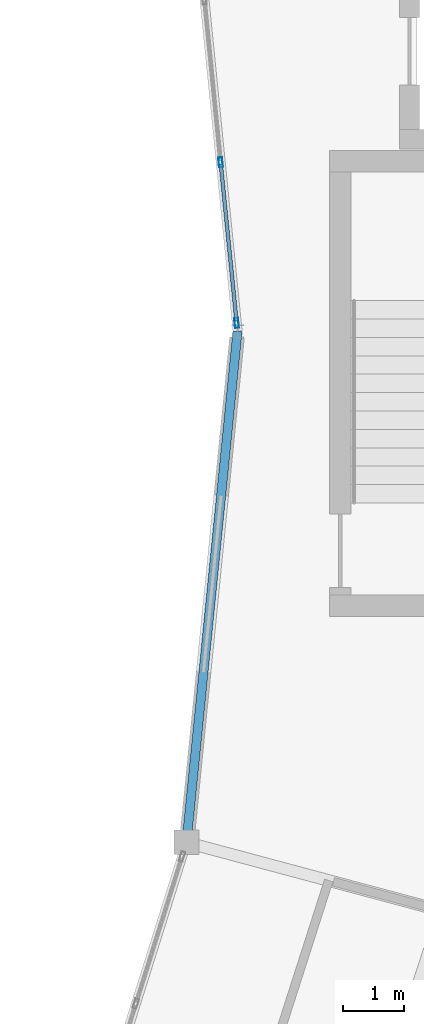
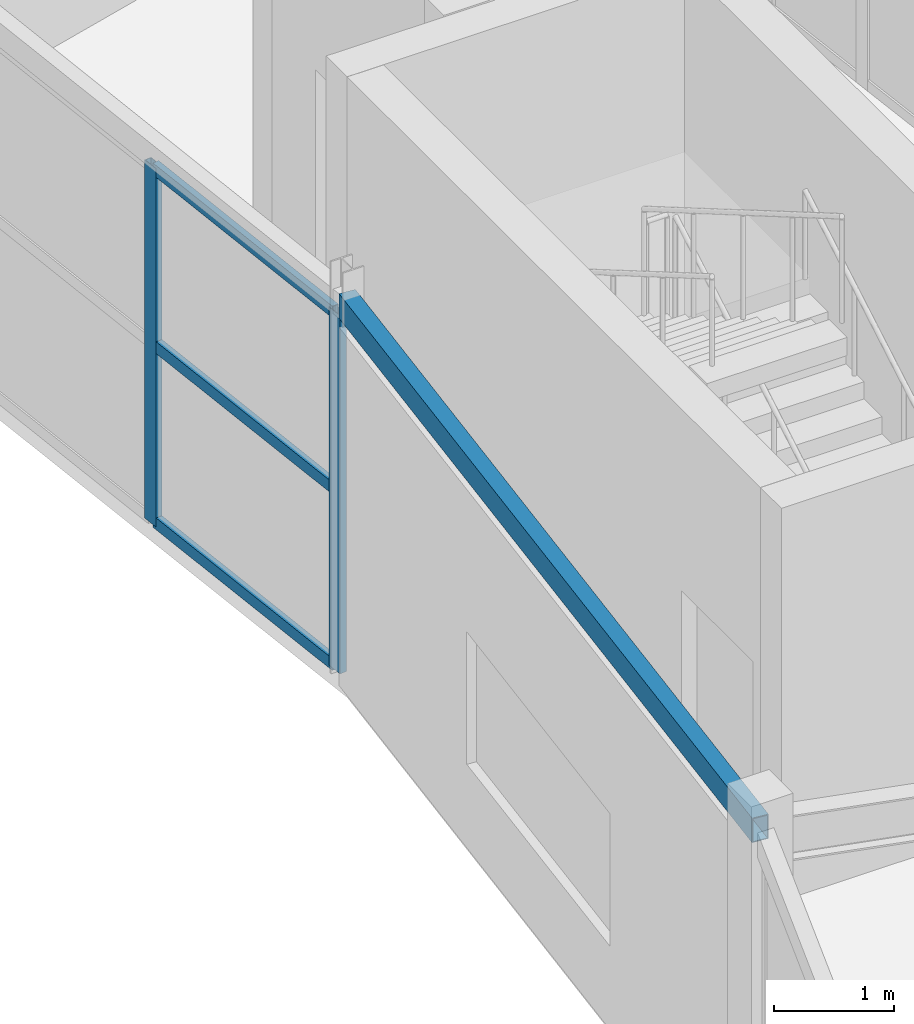
# One storey, part 57 of 130: 5 members, 1 beam, 1 element without a shape of its own.
"""IFC4 building model written with IfcOpenShell, lengths in metres."""

from ifc_helpers import new_model, si_unit, direction, frame, origin, origin_2d, place, context, subcontext, project, spatial, hollow_rectangle, extrude, material, material_profile, profile_set, type_object, element, aggregate, save


model = new_model("IFC4")

# Units and contexts
model_context = context("Model", 3, precision=1e-05, world=origin(), true_north=direction((0.0, 1.0)))
body_context = subcontext(model_context, "Body", "Model", "MODEL_VIEW")
ifc_project = project(units=[si_unit("LENGTHUNIT", "METRE"), si_unit("AREAUNIT", "SQUARE_METRE"), si_unit("VOLUMEUNIT", "CUBIC_METRE"), si_unit("PLANEANGLEUNIT", "RADIAN"), si_unit("MASSUNIT", "GRAM", prefix="KILO")], contexts=[model_context])

# Site, building, storey
site_placement = place(None, origin())
site = spatial("IfcSite", under=ifc_project, at=site_placement, CompositionType="ELEMENT")
building_placement = place(site_placement, origin())
building = spatial("IfcBuilding", under=site, at=building_placement, Name="Karori Crest Natural Sciences Institute", CompositionType="ELEMENT")
storey_placement = place(building_placement, frame((0.0, 0.0, 17.5)))
storey = spatial("IfcBuildingStorey", under=building, at=storey_placement, Name="L04", CompositionType="ELEMENT", Elevation=17.5)

# Beam
ifc_material_1 = material(Name="Hollow structural steel AS/NZS 1163 Grade C350", Category="steel")
ifc_material_profile_1 = material_profile(ifc_material_1, hollow_rectangle(XDim=0.14990234375, YDim=0.25, WallThickness=0.009033203125, at=origin_2d()), Name="RHS250x150x9")
ifc_profile_set_1 = profile_set([ifc_material_profile_1], Name="Hollow structural steel AS/NZS 1163 Grade C350")
beam_type = type_object("IfcBeamType", Name="BT-16", PredefinedType="SPANDREL", material=ifc_profile_set_1)
beam_placement = place(storey_placement, frame((89.968505859375, 41.56591796875, 3.7900390625), z_axis=(0.099284371237, 0.99505910057, 0.0), x_axis=(-0.99505910057, 0.099284371237, 0.0)))
element("IfcBeam", 1, at=beam_placement, inside=storey, type_object=beam_type, Name="Beam B-0539", PredefinedType="SPANDREL", context=body_context, shape_type="SweptSolid", body=[
    extrude(hollow_rectangle(XDim=0.14990234375, YDim=0.25, WallThickness=0.009033203125, at=origin_2d()), origin(), (0.0, 0.0, 1.0), 8.37548828125),
])

# Curtain wall, members
ifc_material_2 = material(Name="Anodised architectural aluminium 6063-T6", Category="aluminium")
curtain_wall_type = type_object("IfcCurtainWallType", Name="CWT-11", PredefinedType="NOTDEFINED", material=ifc_material_2)
curtain_wall_placement = place(storey_placement, origin())
curtain_wall = element("IfcCurtainWall", 2, at=curtain_wall_placement, inside=storey, type_object=curtain_wall_type, Name="Curtain wall CW-0137", PredefinedType="NOTDEFINED")
ifc_material_profile_2 = material_profile(ifc_material_2, hollow_rectangle(XDim=0.06494140625, YDim=0.159912109375, WallThickness=0.00390625, at=origin_2d()), Name="CWM160x65x4")
ifc_profile_set_2 = profile_set([ifc_material_profile_2], Name="Anodised architectural aluminium 6063-T6")
member_type_1 = type_object("IfcMemberType", Name="CWM-01", PredefinedType="MULLION", material=ifc_profile_set_2)
member_1_placement = place(storey_placement, frame((90.786376953125, 50.035400390625, 0.0), z_axis=(0.0, 0.0, 1.0), x_axis=(-0.995060684604, -0.099268494275, 0.0)))
member_1 = element("IfcMember", 3, at=member_1_placement, type_object=member_type_1, Name="CW-0137 mullion 1", PredefinedType="MULLION", context=body_context, shape_type="SweptSolid", body=[
    extrude(hollow_rectangle(XDim=0.06494140625, YDim=0.159912109375, WallThickness=0.00390625, at=origin_2d()), origin(), (0.0, 0.0, 1.0), 3.64990234375),
])
member_2_placement = place(storey_placement, frame((90.525146484375, 52.65576171875, 0.0), z_axis=(0.0, 0.0, 1.0), x_axis=(-0.995060684604, -0.099268494275, 0.0)))
member_2 = element("IfcMember", 4, at=member_2_placement, type_object=member_type_1, Name="CW-0137 mullion 2", PredefinedType="MULLION", context=body_context, shape_type="SweptSolid", body=[
    extrude(hollow_rectangle(XDim=0.06494140625, YDim=0.159912109375, WallThickness=0.00390625, at=origin_2d()), origin(), (0.0, 0.0, 1.0), 3.64990234375),
])
ifc_material_profile_3 = material_profile(ifc_material_2, hollow_rectangle(XDim=0.06005859375, YDim=0.1201171875, WallThickness=0.00390625, at=origin_2d()), Name="CWT120x60x4")
ifc_profile_set_3 = profile_set([ifc_material_profile_3], Name="Anodised architectural aluminium 6063-T6")
member_type_2 = type_object("IfcMemberType", Name="CWT-TR1", PredefinedType="USERDEFINED", material=ifc_profile_set_3)
member_3_placement = place(storey_placement, frame((90.783203125, 50.067626953125, 0.030029296875), z_axis=(-0.099240189366, 0.99506350793, 0.0), x_axis=(-0.99506350793, -0.099240189366, 0.0)))
member_3 = element("IfcMember", 5, at=member_3_placement, type_object=member_type_2, Name="CW-0137 transom 1.1", ObjectType="TRANSOM", PredefinedType="USERDEFINED", context=body_context, shape_type="SweptSolid", body=[
    extrude(hollow_rectangle(XDim=0.06005859375, YDim=0.1201171875, WallThickness=0.00390625, at=origin_2d()), origin(), (0.0, 0.0, 1.0), 2.568359375),
])
member_4_placement = place(storey_placement, frame((90.783203125, 50.067626953125, 1.824951171875), z_axis=(-0.099240189366, 0.99506350793, 0.0), x_axis=(-0.99506350793, -0.099240189366, 0.0)))
member_4 = element("IfcMember", 6, at=member_4_placement, type_object=member_type_2, Name="CW-0137 transom 1.2", ObjectType="TRANSOM", PredefinedType="USERDEFINED", context=body_context, shape_type="SweptSolid", body=[
    extrude(hollow_rectangle(XDim=0.06005859375, YDim=0.1201171875, WallThickness=0.00390625, at=origin_2d()), origin(), (0.0, 0.0, 1.0), 2.568359375),
])
member_5_placement = place(storey_placement, frame((90.783203125, 50.067626953125, 3.6201171875), z_axis=(-0.099240189366, 0.99506350793, 0.0), x_axis=(-0.99506350793, -0.099240189366, 0.0)))
member_5 = element("IfcMember", 7, at=member_5_placement, type_object=member_type_2, Name="CW-0137 transom 1.3", ObjectType="TRANSOM", PredefinedType="USERDEFINED", context=body_context, shape_type="SweptSolid", body=[
    extrude(hollow_rectangle(XDim=0.06005859375, YDim=0.1201171875, WallThickness=0.00390625, at=origin_2d()), origin(), (0.0, 0.0, 1.0), 2.568359375),
])
aggregate(curtain_wall, [member_1, member_2, member_3, member_4, member_5])

save(model, "model.ifc")
